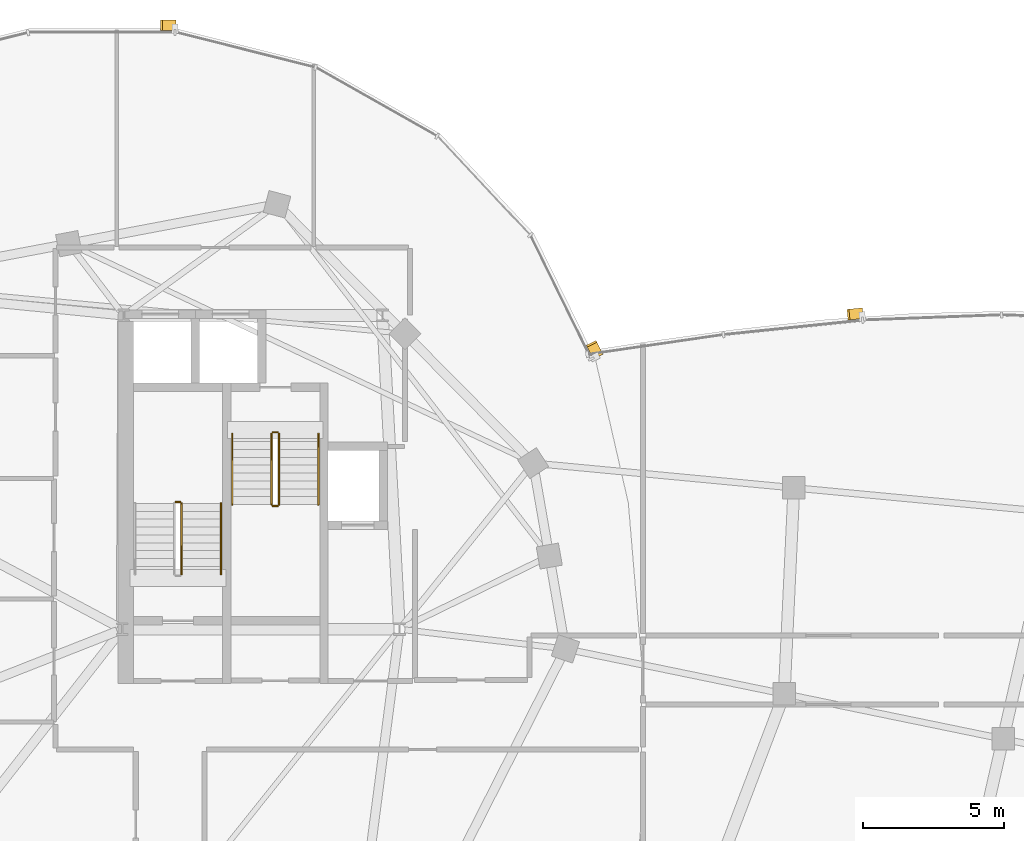
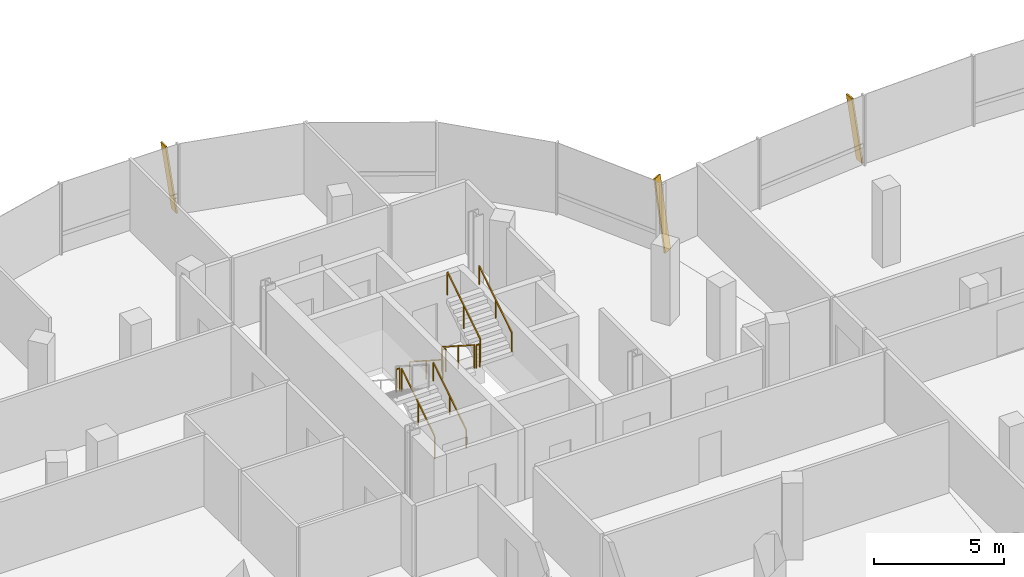
# One storey, part 24 of 26: 9 railings, 3 shading devices.
"""IFC4 building model written with IfcOpenShell, lengths in metres."""

from ifc_helpers import new_model, si_unit, direction, frame, origin, origin_2d, place, context, subcontext, project, spatial, rectangle, extrude, material, material_profile, profile_set, type_object, element, save


model = new_model("IFC4")

# Units and contexts
model_context = context("Model", 3, precision=1e-05, world=origin(), true_north=direction((0.0, 1.0)))
body_context = subcontext(model_context, "Body", "Model", "MODEL_VIEW")
ifc_project = project(units=[si_unit("LENGTHUNIT", "METRE"), si_unit("AREAUNIT", "SQUARE_METRE"), si_unit("VOLUMEUNIT", "CUBIC_METRE"), si_unit("PLANEANGLEUNIT", "RADIAN"), si_unit("MASSUNIT", "GRAM", prefix="KILO"), si_unit("THERMODYNAMICTEMPERATUREUNIT", "KELVIN"), si_unit("POWERUNIT", "WATT")], contexts=[model_context])

# Site, building, storey
site_placement = place(None, origin())
site = spatial("IfcSite", under=ifc_project, at=site_placement, CompositionType="ELEMENT")
building_placement = place(site_placement, origin())
building = spatial("IfcBuilding", under=site, at=building_placement, Name="Cundina Bronze Exchange", CompositionType="ELEMENT")
storey_placement = place(building_placement, frame((0.0, 0.0, 261.199951171875)))
storey = spatial("IfcBuildingStorey", under=building, at=storey_placement, Name="L69", CompositionType="ELEMENT", Elevation=261.199951171875)

# Railings
ifc_material_1 = material(Name="Steel ASTM A36 Painted", Category="steel")
railing_type_1 = type_object("IfcRailingType", Name="RLG-HND-900", PredefinedType="HANDRAIL", material=ifc_material_1)
railing_1_placement = place(storey_placement, frame((-27.7900390625, 5.85009765625, 0.179931640625)))
element("IfcRailing", 1, at=railing_1_placement, inside=storey, type_object=railing_type_1, Name="L69 ST-W1 stair handrail 1", PredefinedType="HANDRAIL", context=body_context, shape_type="SweptSolid", body=[
    extrude(rectangle(XDim=0.048095703125, YDim=0.048095703125, at=origin_2d()), frame((0.0, 0.0, 0.8759765625), z_axis=(0.0, 0.841162588446, 0.540782303519), x_axis=(-1.0, 0.0, 0.0)), (0.0, 0.0, 1.0), 2.995849609375),
    extrude(rectangle(XDim=0.0419921875, YDim=0.0419921875, at=origin_2d()), origin(), (0.0, 0.0, 1.0), 0.851806640625),
    extrude(rectangle(XDim=0.0419921875, YDim=0.0419921875, at=origin_2d()), frame((0.0, 1.260009765625, 0.81005859375)), (0.0, 0.0, 1.0), 0.851806640625),
    extrude(rectangle(XDim=0.0419921875, YDim=0.0419921875, at=origin_2d()), frame((0.0, 2.52001953125, 1.6201171875)), (0.0, 0.0, 1.0), 0.851806640625),
])
railing_2_placement = place(storey_placement, frame((-27.389892578125, 10.85009765625, 0.179931640625)))
element("IfcRailing", 2, at=railing_2_placement, inside=storey, type_object=railing_type_1, Name="L69 ST-W2 stair handrail 1", PredefinedType="HANDRAIL", context=body_context, shape_type="SweptSolid", body=[
    extrude(rectangle(XDim=0.048095703125, YDim=0.048095703125, at=origin_2d()), frame((0.0, 0.0, 0.8759765625), z_axis=(0.0, -0.841162588446, 0.540782303519), x_axis=(1.0, 0.0, 0.0)), (0.0, 0.0, 1.0), 2.995849609375),
    extrude(rectangle(XDim=0.0419921875, YDim=0.0419921875, at=origin_2d()), origin(), (0.0, 0.0, 1.0), 0.851806640625),
    extrude(rectangle(XDim=0.0419921875, YDim=0.0419921875, at=origin_2d()), frame((0.0, -1.260009765625, 0.81005859375)), (0.0, 0.0, 1.0), 0.851806640625),
    extrude(rectangle(XDim=0.0419921875, YDim=0.0419921875, at=origin_2d()), frame((0.0, -2.52001953125, 1.6201171875)), (0.0, 0.0, 1.0), 0.851806640625),
])
railing_3_placement = place(storey_placement, frame((-24.330078125, 8.330078125, 1.97998046875)))
element("IfcRailing", 3, at=railing_3_placement, inside=storey, type_object=railing_type_1, Name="L69 ST-W2 stair handrail 2", PredefinedType="HANDRAIL", context=body_context, shape_type="SweptSolid", body=[
    extrude(rectangle(XDim=0.048095703125, YDim=0.048095703125, at=origin_2d()), frame((0.0, 0.0, 0.8759765625), z_axis=(0.0, 0.841162588446, 0.540782303519), x_axis=(-1.0, 0.0, 0.0)), (0.0, 0.0, 1.0), 2.995849609375),
    extrude(rectangle(XDim=0.0419921875, YDim=0.0419921875, at=origin_2d()), origin(), (0.0, 0.0, 1.0), 0.851806640625),
    extrude(rectangle(XDim=0.0419921875, YDim=0.0419921875, at=origin_2d()), frame((0.0, 1.260009765625, 0.81005859375)), (0.0, 0.0, 1.0), 0.851806640625),
    extrude(rectangle(XDim=0.0419921875, YDim=0.0419921875, at=origin_2d()), frame((0.0, 2.52001953125, 1.6201171875)), (0.0, 0.0, 1.0), 0.851806640625),
])
railing_type_2 = type_object("IfcRailingType", Name="RLG-STG-1100", PredefinedType="GUARDRAIL", material=ifc_material_1)
railing_4_placement = place(storey_placement, frame((-29.18994140625, 5.85009765625, 0.179931640625)))
element("IfcRailing", 4, at=railing_4_placement, inside=storey, type_object=railing_type_2, Name="L69 ST-W1 stair guard 1", PredefinedType="GUARDRAIL", context=body_context, shape_type="SweptSolid", body=[
    extrude(rectangle(XDim=0.048095703125, YDim=0.048095703125, at=origin_2d()), frame((0.0, 0.0, 1.076171875), z_axis=(0.0, 0.841162588446, 0.540782303519), x_axis=(-1.0, 0.0, 0.0)), (0.0, 0.0, 1.0), 2.995849609375),
    extrude(rectangle(XDim=0.0419921875, YDim=0.0419921875, at=origin_2d()), origin(), (0.0, 0.0, 1.0), 1.052001953125),
    extrude(rectangle(XDim=0.0419921875, YDim=0.0419921875, at=origin_2d()), frame((0.0, 1.260009765625, 0.81005859375)), (0.0, 0.0, 1.0), 1.052001953125),
    extrude(rectangle(XDim=0.0419921875, YDim=0.0419921875, at=origin_2d()), frame((0.0, 2.52001953125, 1.6201171875)), (0.0, 0.0, 1.0), 1.052001953125),
])
railing_5_placement = place(storey_placement, frame((-29.239990234375, 8.419921875, 1.800048828125)))
element("IfcRailing", 5, at=railing_5_placement, inside=storey, type_object=railing_type_2, Name="L69 ST-W1 stair guard 2", PredefinedType="GUARDRAIL", context=body_context, shape_type="SweptSolid", body=[
    extrude(rectangle(XDim=0.048095703125, YDim=0.048095703125, at=origin_2d()), frame((0.0, 0.0, 1.076171875), z_axis=(-1.0, 0.0, 0.0), x_axis=(0.0, -1.0, 0.0)), (0.0, 0.0, 1.0), 0.159912109375),
    extrude(rectangle(XDim=0.0419921875, YDim=0.0419921875, at=origin_2d()), origin(), (0.0, 0.0, 1.0), 1.052001953125),
    extrude(rectangle(XDim=0.0419921875, YDim=0.0419921875, at=origin_2d()), frame((-0.159912109375, 0.0, 0.0)), (0.0, 0.0, 1.0), 1.052001953125),
])
railing_6_placement = place(storey_placement, frame((-25.989990234375, 10.85009765625, 0.179931640625)))
element("IfcRailing", 6, at=railing_6_placement, inside=storey, type_object=railing_type_2, Name="L69 ST-W2 stair guard 1", PredefinedType="GUARDRAIL", context=body_context, shape_type="SweptSolid", body=[
    extrude(rectangle(XDim=0.048095703125, YDim=0.048095703125, at=origin_2d()), frame((0.0, 0.0, 1.076171875), z_axis=(0.0, -0.841162588446, 0.540782303519), x_axis=(1.0, 0.0, 0.0)), (0.0, 0.0, 1.0), 2.995849609375),
    extrude(rectangle(XDim=0.0419921875, YDim=0.0419921875, at=origin_2d()), origin(), (0.0, 0.0, 1.0), 1.052001953125),
    extrude(rectangle(XDim=0.0419921875, YDim=0.0419921875, at=origin_2d()), frame((0.0, -1.260009765625, 0.81005859375)), (0.0, 0.0, 1.0), 1.052001953125),
    extrude(rectangle(XDim=0.0419921875, YDim=0.0419921875, at=origin_2d()), frame((0.0, -2.52001953125, 1.6201171875)), (0.0, 0.0, 1.0), 1.052001953125),
])
railing_7_placement = place(storey_placement, frame((-25.93994140625, 8.280029296875, 1.800048828125)))
element("IfcRailing", 7, at=railing_7_placement, inside=storey, type_object=railing_type_2, Name="L69 ST-W2 stair guard 2", PredefinedType="GUARDRAIL", context=body_context, shape_type="SweptSolid", body=[
    extrude(rectangle(XDim=0.048095703125, YDim=0.048095703125, at=origin_2d()), frame((0.0, 0.0, 1.076171875), z_axis=(1.0, 0.0, 0.0), x_axis=(0.0, 1.0, 0.0)), (0.0, 0.0, 1.0), 0.159912109375),
    extrude(rectangle(XDim=0.0419921875, YDim=0.0419921875, at=origin_2d()), origin(), (0.0, 0.0, 1.0), 1.052001953125),
    extrude(rectangle(XDim=0.0419921875, YDim=0.0419921875, at=origin_2d()), frame((0.159912109375, 0.0, 0.0)), (0.0, 0.0, 1.0), 1.052001953125),
])
railing_8_placement = place(storey_placement, frame((-25.72998046875, 8.330078125, 1.97998046875)))
element("IfcRailing", 8, at=railing_8_placement, inside=storey, type_object=railing_type_2, Name="L69 ST-W2 stair guard 3", PredefinedType="GUARDRAIL", context=body_context, shape_type="SweptSolid", body=[
    extrude(rectangle(XDim=0.048095703125, YDim=0.048095703125, at=origin_2d()), frame((0.0, 0.0, 1.076171875), z_axis=(0.0, 0.841162588446, 0.540782303519), x_axis=(-1.0, 0.0, 0.0)), (0.0, 0.0, 1.0), 2.995849609375),
    extrude(rectangle(XDim=0.0419921875, YDim=0.0419921875, at=origin_2d()), origin(), (0.0, 0.0, 1.0), 1.052001953125),
    extrude(rectangle(XDim=0.0419921875, YDim=0.0419921875, at=origin_2d()), frame((0.0, 1.260009765625, 0.81005859375)), (0.0, 0.0, 1.0), 1.052001953125),
    extrude(rectangle(XDim=0.0419921875, YDim=0.0419921875, at=origin_2d()), frame((0.0, 2.52001953125, 1.6201171875)), (0.0, 0.0, 1.0), 1.052001953125),
])
railing_9_placement = place(storey_placement, frame((-25.93994140625, 10.89990234375, 0.0)))
element("IfcRailing", 9, at=railing_9_placement, inside=storey, type_object=railing_type_2, Name="L69 ST-W2 stair guard 4", PredefinedType="GUARDRAIL", context=body_context, shape_type="SweptSolid", body=[
    extrude(rectangle(XDim=0.048095703125, YDim=0.048095703125, at=origin_2d()), frame((0.0, 0.0, 1.076171875), z_axis=(1.0, 0.0, 0.0), x_axis=(0.0, 1.0, 0.0)), (0.0, 0.0, 1.0), 0.159912109375),
    extrude(rectangle(XDim=0.0419921875, YDim=0.0419921875, at=origin_2d()), origin(), (0.0, 0.0, 1.0), 1.052001953125),
    extrude(rectangle(XDim=0.0419921875, YDim=0.0419921875, at=origin_2d()), frame((0.159912109375, 0.0, 0.0)), (0.0, 0.0, 1.0), 1.052001953125),
])

# Shading devices
ifc_material_2 = material(Name="Anodised Bronze Aluminium 6063-T6", Category="aluminium")
ifc_material_profile = material_profile(ifc_material_2, rectangle(XDim=0.070068359375, YDim=0.3798828125, at=origin_2d()), Name="FIN70X380", Category="aluminium")
ifc_profile_set = profile_set([ifc_material_profile], Name="Anodised Bronze Aluminium 6063-T6")
shading_device_type = type_object("IfcShadingDeviceType", Name="SHD-FIN-BRZ380", PredefinedType="USERDEFINED", material=ifc_profile_set)
for number, where, z_axis, x_axis, name in (
    (10, (-14.406494140625, 13.614013671875, 0.02001953125), (-0.063400368732, 0.129216686851, 0.989587510574), (0.435900311632, -0.888411143223, 0.143932480407), "L69 Diagonal Bronze Solar Fin 1"),
    (11, (-29.423583984375, 25.360107421875, 0.02001953125), (-0.143932024572, 0.0, 0.989587576874), (0.989587576874, 0.0, 0.143932024572), "L69 Diagonal Bronze Solar Fin 5"),
):
    element("IfcShadingDevice", number, at=place(storey_placement, frame(where, z_axis=z_axis, x_axis=x_axis)), inside=storey, type_object=shading_device_type, Name=name, ObjectType="FIN", PredefinedType="USERDEFINED", context=body_context, shape_type="SweptSolid", body=[
        extrude(rectangle(XDim=0.070068359375, YDim=0.3798828125, at=origin_2d()), origin(), (0.0, 0.0, 1.0), 3.334716796875),
    ])
shading_device_placement = place(storey_placement, frame((-5.0146484375, 15.12890625, 0.02001953125), z_axis=(-0.145724273631, -0.015056932621, 0.989210657471), x_axis=(0.983972150742, 0.101668733734, 0.14650008582)))
element("IfcShadingDevice", 12, at=shading_device_placement, inside=storey, type_object=shading_device_type, Name="L69 Diagonal Bronze Solar Fin 5", ObjectType="FIN", PredefinedType="USERDEFINED", context=body_context, shape_type="SweptSolid", body=[
    extrude(rectangle(XDim=0.070068359375, YDim=0.3798828125, at=origin_2d()), origin(), (0.0, 0.0, 1.0), 3.275390625),
])

save(model, "model.ifc")
